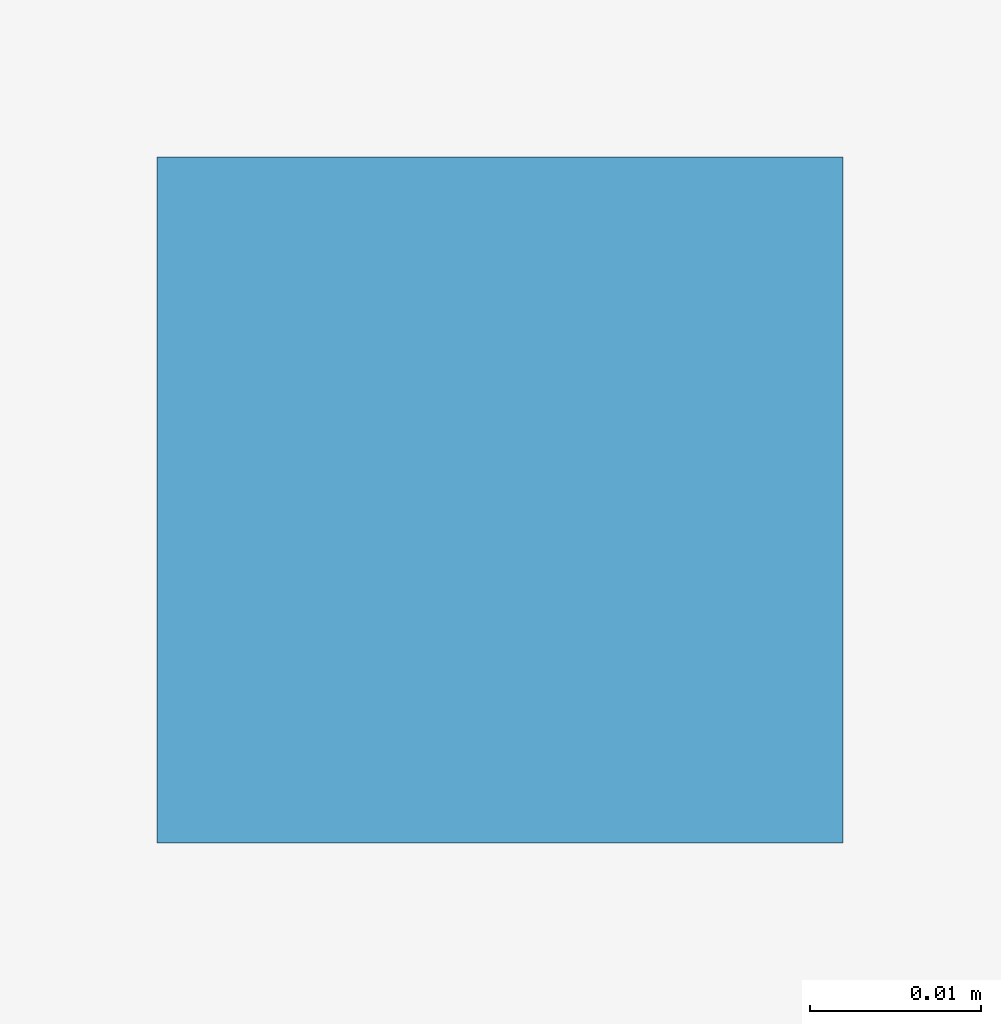
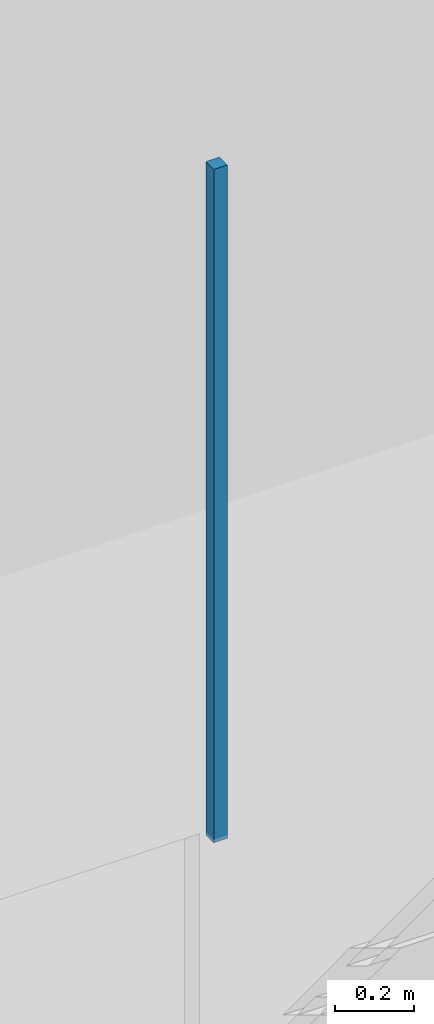
# One storey, part 98 of 167: 1 discrete accessory.
"""IFC4 building model written with IfcOpenShell, lengths in metres."""

import ifcopenshell
import ifcopenshell.guid

model = None  # the IFC model being written
_history = None  # IfcOwnerHistory: only IFC2X3 demands one
_inside = {}  # id of a spatial element -> (the spatial element, [elements in it])
_under = {}  # id of a project, library or spatial element -> (it, [spatial elements below it])
_declared = {}  # id of a project -> (the project, [libraries it declares])
_typed = {}  # id of a type object -> (the type object, [elements of that type])
_made_of = {}  # id of a material, layer set ... -> (it, [elements and type objects made of it])


def new_model(schema):
    """Start an empty IFC model of exactly this schema.

    Asked for "IFC4X3", IfcOpenShell would pick the latest addendum, in which some entities
    have other attributes; the version numbers below select the first issue.
    IFC2X3 requires an IfcOwnerHistory on every rooted entity: one is made here for all.
    """
    global model, _history
    if schema == "IFC4X3":
        model = ifcopenshell.file(schema_version=(4, 3, 0, 0))
    else:
        model = ifcopenshell.file(schema=schema)
    _inside.clear()
    _under.clear()
    _declared.clear()
    _typed.clear()
    _made_of.clear()
    _history = None
    if model.schema == "IFC2X3":
        org = make("IfcOrganization", Name="unknown")
        user = make(
            "IfcPersonAndOrganization",
            ThePerson=make("IfcPerson", FamilyName="unknown"),
            TheOrganization=org,
        )
        app = make(
            "IfcApplication",
            ApplicationDeveloper=org,
            Version="unknown",
            ApplicationFullName="unknown",
            ApplicationIdentifier="unknown",
        )
        _history = make(
            "IfcOwnerHistory",
            OwningUser=user,
            OwningApplication=app,
            ChangeAction="ADDED",
            CreationDate=0,
        )
    return model


def make(cls, **values):
    """One entity of the class cls with the attributes given. An attribute that is None is left unset."""
    return model.create_entity(
        cls, **{name: value for name, value in values.items() if value is not None}
    )


def rooted(cls, **values):
    """An entity with a GlobalId (a new one), such as an element, a storey or a relation."""
    return make(cls, GlobalId=ifcopenshell.guid.new(), OwnerHistory=_history, **values)


def si_unit(unit_type, name, prefix=None):
    """IfcSIUnit, for example si_unit("LENGTHUNIT", "METRE", prefix="MILLI")."""
    return make("IfcSIUnit", UnitType=unit_type, Prefix=prefix, Name=name)


def assignment(units):
    """IfcUnitAssignment: the units of a project."""
    return None if units is None else make("IfcUnitAssignment", Units=units)


def point(xyz):
    """IfcCartesianPoint."""
    return None if xyz is None else make("IfcCartesianPoint", Coordinates=xyz)


def direction(xyz):
    """IfcDirection."""
    return None if xyz is None else make("IfcDirection", DirectionRatios=xyz)


def frame(location, z_axis=None, x_axis=None):
    """IfcAxis2Placement3D, a coordinate frame: its origin and axes. An axis left out is left unset."""
    return make(
        "IfcAxis2Placement3D",
        Location=point(location),
        Axis=direction(z_axis),
        RefDirection=direction(x_axis),
    )


def frame_2d(location, x_axis=None):
    """IfcAxis2Placement2D, a coordinate frame in the plane: its origin and x axis."""
    return make(
        "IfcAxis2Placement2D", Location=point(location), RefDirection=direction(x_axis)
    )


def origin():
    """The frame at (0, 0, 0) with its axes left unset."""
    return frame((0.0, 0.0, 0.0))


def origin_2d():
    """The frame at (0, 0) in the plane with its x axis left unset."""
    return frame_2d((0.0, 0.0))


def place(relative_to, where):
    """IfcLocalPlacement: puts the frame where relative to a parent placement (None: the world)."""
    return make(
        "IfcLocalPlacement", PlacementRelTo=relative_to, RelativePlacement=where
    )


def context(
    kind, dimensions, precision=None, world=None, true_north=None, identifier=None
):
    """IfcGeometricRepresentationContext, for example the 3D "Model" context."""
    return make(
        "IfcGeometricRepresentationContext",
        ContextIdentifier=identifier,
        ContextType=kind,
        CoordinateSpaceDimension=dimensions,
        Precision=precision,
        WorldCoordinateSystem=world,
        TrueNorth=true_north,
    )


def subcontext(parent, identifier, kind, view, scale=None):
    """IfcGeometricRepresentationSubContext, for example "Body" below "Model"."""
    return make(
        "IfcGeometricRepresentationSubContext",
        ContextIdentifier=identifier,
        ContextType=kind,
        ParentContext=parent,
        TargetScale=scale,
        TargetView=view,
    )


def project(units=None, contexts=None):
    """IfcProject with its units and contexts."""
    return rooted(
        "IfcProject",
        Name="project",
        RepresentationContexts=contexts,
        UnitsInContext=assignment(units),
    )


def spatial(cls, under=None, at=None, **own):
    """A site, building, storey or space (cls), placed at a placement, below another one or the project."""
    s = rooted(cls, ObjectPlacement=at, **own)
    if under is not None:
        _under.setdefault(under.id(), (under, []))[1].append(s)
    return s


def profile(cls, at=None, kind="AREA", **sizes):
    """A parametric profile (cls). Its sizes go by their IFC names, for example OverallWidth=200.0."""
    return make(cls, ProfileType=kind, Position=at, **sizes)


def rectangle(**sizes):
    """IfcRectangleProfileDef."""
    return profile("IfcRectangleProfileDef", **sizes)


def extrude(swept, where, along, depth):
    """IfcExtrudedAreaSolid: the profile swept, set in the frame where, extruded along a direction by depth."""
    return make(
        "IfcExtrudedAreaSolid",
        SweptArea=swept,
        Position=where,
        ExtrudedDirection=direction(along),
        Depth=depth,
    )


def shape(context_of_items, identifier, shape_type, items):
    """IfcShapeRepresentation: the items that make up one representation, for example the "Body"."""
    return make(
        "IfcShapeRepresentation",
        ContextOfItems=context_of_items,
        RepresentationIdentifier=identifier,
        RepresentationType=shape_type,
        Items=items,
    )


def material(Name=None, Category=None):
    """IfcMaterial."""
    return make("IfcMaterial", Name=Name, Category=Category)


def made_of(thing, what):
    """Note that an element or type object is made of a material, layer set ...; save() writes the relation."""
    if what is not None:
        _made_of.setdefault(what.id(), (what, []))[1].append(thing)
    return thing


def type_object(cls, material=None, **own):
    """A type object (cls), such as IfcWallType, which elements share."""
    return made_of(rooted(cls, **own), material)


def element(
    cls,
    number,
    at=None,
    inside=None,
    cuts=None,
    type_object=None,
    material=None,
    context=None,
    identifier="Body",
    shape_type=None,
    held_by="IfcProductDefinitionShape",
    body=None,
    shapes=None,
    **own,
):
    """One element of the class cls, such as IfcWall. Its Tag is "e" and its number.

    at: its placement. inside: the storey or other place that contains it. cuts: it is an
    opening in that element (IfcRelVoidsElement). A single representation is given by context,
    identifier, shape_type and body (its items); several are given by shapes. held_by: the class
    of the entity that holds the representations. save() writes the other relations.
    """
    e = rooted(cls, Tag="e%d" % number, ObjectPlacement=at, **own)
    if body is not None:
        shapes = [shape(context, identifier, shape_type, body)]
    if shapes is not None:
        e.Representation = make(held_by, Representations=shapes)
    if inside is not None:
        _inside.setdefault(inside.id(), (inside, []))[1].append(e)
    if cuts is not None:
        rooted(
            "IfcRelVoidsElement", RelatingBuildingElement=cuts, RelatedOpeningElement=e
        )
    if type_object is not None:
        _typed.setdefault(type_object.id(), (type_object, []))[1].append(e)
    return made_of(e, material)


def aggregate(whole, parts):
    """IfcRelAggregates: a whole, such as a stair, and the parts it consists of."""
    return rooted("IfcRelAggregates", RelatingObject=whole, RelatedObjects=parts)


def save(model, path):
    """Write the relations noted so far, then the file.

    IfcRelAggregates (storeys below a building ...), IfcRelContainedInSpatialStructure (elements
    in a storey), IfcRelDefinesByType, IfcRelAssociatesMaterial and IfcRelDeclares: one each for
    every whole, place, type object, material and project.
    """
    for whole, parts in _under.values():
        aggregate(whole, parts)
    for where, things in _inside.values():
        rooted(
            "IfcRelContainedInSpatialStructure",
            RelatedElements=things,
            RelatingStructure=where,
        )
    for kind, things in _typed.values():
        rooted("IfcRelDefinesByType", RelatedObjects=things, RelatingType=kind)
    for what, things in _made_of.values():
        rooted("IfcRelAssociatesMaterial", RelatedObjects=things, RelatingMaterial=what)
    for by, libraries in _declared.values():
        rooted("IfcRelDeclares", RelatingContext=by, RelatedDefinitions=libraries)
    model.write(path)


model = new_model("IFC4")

# Units and contexts
model_context = context("Model", 3, precision=1e-05, world=origin(), true_north=direction((0.0, 1.0)))
body_context = subcontext(model_context, "Body", "Model", "MODEL_VIEW")
ifc_project = project(units=[si_unit("LENGTHUNIT", "METRE"), si_unit("AREAUNIT", "SQUARE_METRE"), si_unit("VOLUMEUNIT", "CUBIC_METRE"), si_unit("PLANEANGLEUNIT", "RADIAN"), si_unit("MASSUNIT", "GRAM", prefix="KILO")], contexts=[model_context])

# Site, building, storey
site_placement = place(None, origin())
site = spatial("IfcSite", under=ifc_project, at=site_placement, CompositionType="ELEMENT")
building_placement = place(site_placement, origin())
building = spatial("IfcBuilding", under=site, at=building_placement, Name="Varncliffe General Hospital", CompositionType="ELEMENT")
storey_placement = place(building_placement, origin())
storey = spatial("IfcBuildingStorey", under=building, at=storey_placement, Name="L00", CompositionType="ELEMENT", Elevation=0.0)

# Discrete accessory
ifc_material = material(Name="Powder-coated hospital steel guardrail and handrail", Category="steel")
discrete_accessory_type = type_object("IfcDiscreteAccessoryType", Name="Suspended Ceiling Hanger Bracket CH01", PredefinedType="BRACKET", material=ifc_material)
discrete_accessory_placement = place(storey_placement, frame((53.89990234375, 84.4423828125, 3.18994140625), z_axis=(0.0, 0.0, 1.0), x_axis=(1.0, 0.0, 0.0)))
element("IfcDiscreteAccessory", 1, at=discrete_accessory_placement, inside=storey, type_object=discrete_accessory_type, Name="L00 Suspended Ceiling Hanger 38", PredefinedType="BRACKET", context=body_context, shape_type="SweptSolid", body=[
    extrude(rectangle(XDim=0.0400390625, YDim=0.0400390625, at=origin_2d()), origin(), (0.0, 0.0, 1.0), 2.090087890625),
])

save(model, "model.ifc")
